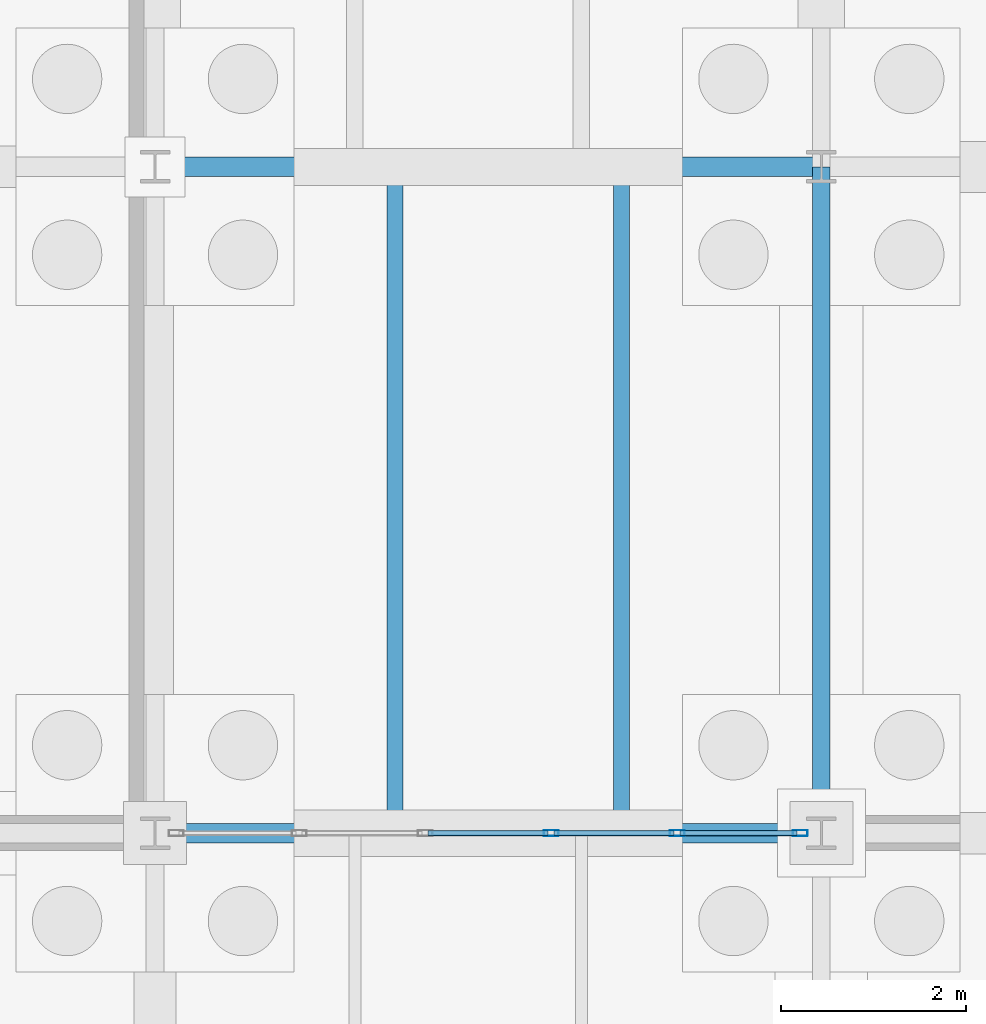
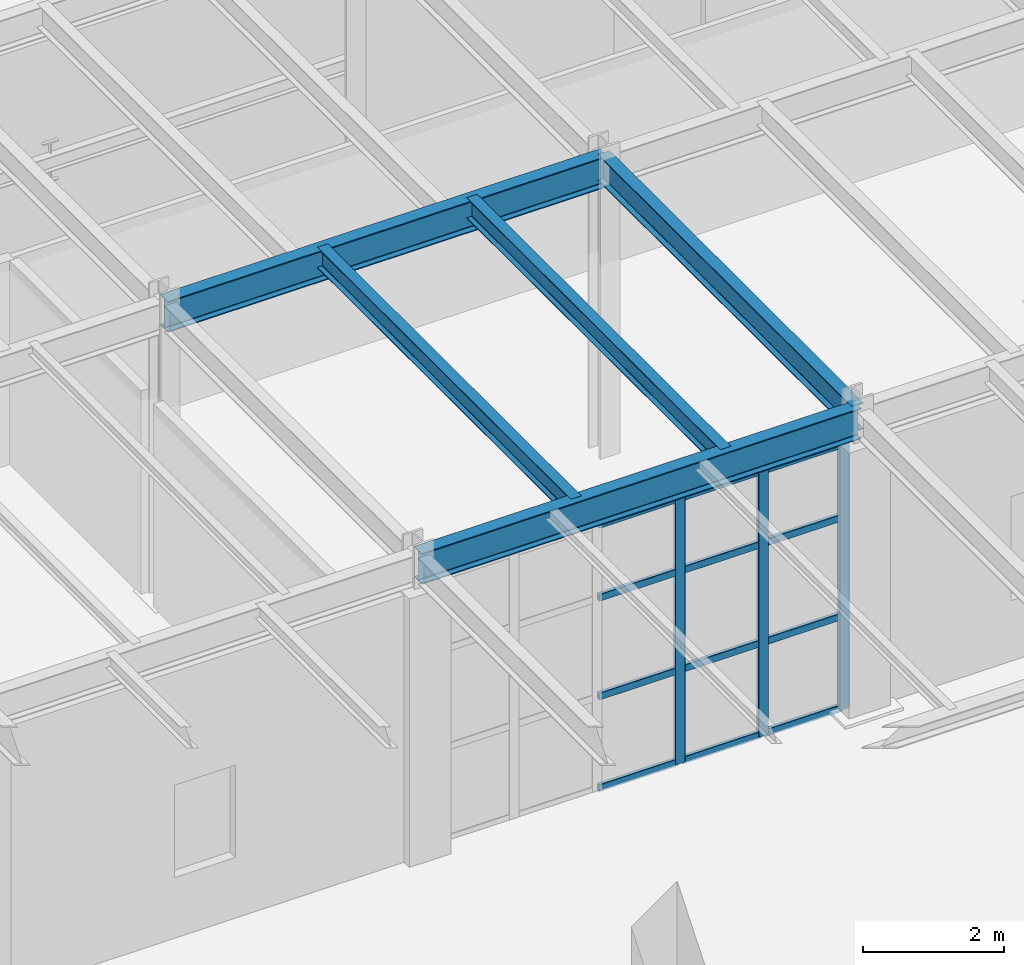
# One storey, part 76 of 293: 15 members, 5 beams, 1 element without a shape of its own.
"""IFC4 building model written with IfcOpenShell, lengths in metres."""

import ifcopenshell
import ifcopenshell.guid

model = None  # the IFC model being written
_history = None  # IfcOwnerHistory: only IFC2X3 demands one
_inside = {}  # id of a spatial element -> (the spatial element, [elements in it])
_under = {}  # id of a project, library or spatial element -> (it, [spatial elements below it])
_declared = {}  # id of a project -> (the project, [libraries it declares])
_typed = {}  # id of a type object -> (the type object, [elements of that type])
_made_of = {}  # id of a material, layer set ... -> (it, [elements and type objects made of it])


def new_model(schema):
    """Start an empty IFC model of exactly this schema.

    Asked for "IFC4X3", IfcOpenShell would pick the latest addendum, in which some entities
    have other attributes; the version numbers below select the first issue.
    IFC2X3 requires an IfcOwnerHistory on every rooted entity: one is made here for all.
    """
    global model, _history
    if schema == "IFC4X3":
        model = ifcopenshell.file(schema_version=(4, 3, 0, 0))
    else:
        model = ifcopenshell.file(schema=schema)
    _inside.clear()
    _under.clear()
    _declared.clear()
    _typed.clear()
    _made_of.clear()
    _history = None
    if model.schema == "IFC2X3":
        org = make("IfcOrganization", Name="unknown")
        user = make(
            "IfcPersonAndOrganization",
            ThePerson=make("IfcPerson", FamilyName="unknown"),
            TheOrganization=org,
        )
        app = make(
            "IfcApplication",
            ApplicationDeveloper=org,
            Version="unknown",
            ApplicationFullName="unknown",
            ApplicationIdentifier="unknown",
        )
        _history = make(
            "IfcOwnerHistory",
            OwningUser=user,
            OwningApplication=app,
            ChangeAction="ADDED",
            CreationDate=0,
        )
    return model


def make(cls, **values):
    """One entity of the class cls with the attributes given. An attribute that is None is left unset."""
    return model.create_entity(
        cls, **{name: value for name, value in values.items() if value is not None}
    )


def rooted(cls, **values):
    """An entity with a GlobalId (a new one), such as an element, a storey or a relation."""
    return make(cls, GlobalId=ifcopenshell.guid.new(), OwnerHistory=_history, **values)


def si_unit(unit_type, name, prefix=None):
    """IfcSIUnit, for example si_unit("LENGTHUNIT", "METRE", prefix="MILLI")."""
    return make("IfcSIUnit", UnitType=unit_type, Prefix=prefix, Name=name)


def assignment(units):
    """IfcUnitAssignment: the units of a project."""
    return None if units is None else make("IfcUnitAssignment", Units=units)


def point(xyz):
    """IfcCartesianPoint."""
    return None if xyz is None else make("IfcCartesianPoint", Coordinates=xyz)


def direction(xyz):
    """IfcDirection."""
    return None if xyz is None else make("IfcDirection", DirectionRatios=xyz)


def frame(location, z_axis=None, x_axis=None):
    """IfcAxis2Placement3D, a coordinate frame: its origin and axes. An axis left out is left unset."""
    return make(
        "IfcAxis2Placement3D",
        Location=point(location),
        Axis=direction(z_axis),
        RefDirection=direction(x_axis),
    )


def frame_2d(location, x_axis=None):
    """IfcAxis2Placement2D, a coordinate frame in the plane: its origin and x axis."""
    return make(
        "IfcAxis2Placement2D", Location=point(location), RefDirection=direction(x_axis)
    )


def origin():
    """The frame at (0, 0, 0) with its axes left unset."""
    return frame((0.0, 0.0, 0.0))


def origin_2d():
    """The frame at (0, 0) in the plane with its x axis left unset."""
    return frame_2d((0.0, 0.0))


def place(relative_to, where):
    """IfcLocalPlacement: puts the frame where relative to a parent placement (None: the world)."""
    return make(
        "IfcLocalPlacement", PlacementRelTo=relative_to, RelativePlacement=where
    )


def context(
    kind, dimensions, precision=None, world=None, true_north=None, identifier=None
):
    """IfcGeometricRepresentationContext, for example the 3D "Model" context."""
    return make(
        "IfcGeometricRepresentationContext",
        ContextIdentifier=identifier,
        ContextType=kind,
        CoordinateSpaceDimension=dimensions,
        Precision=precision,
        WorldCoordinateSystem=world,
        TrueNorth=true_north,
    )


def subcontext(parent, identifier, kind, view, scale=None):
    """IfcGeometricRepresentationSubContext, for example "Body" below "Model"."""
    return make(
        "IfcGeometricRepresentationSubContext",
        ContextIdentifier=identifier,
        ContextType=kind,
        ParentContext=parent,
        TargetScale=scale,
        TargetView=view,
    )


def project(units=None, contexts=None):
    """IfcProject with its units and contexts."""
    return rooted(
        "IfcProject",
        Name="project",
        RepresentationContexts=contexts,
        UnitsInContext=assignment(units),
    )


def spatial(cls, under=None, at=None, **own):
    """A site, building, storey or space (cls), placed at a placement, below another one or the project."""
    s = rooted(cls, ObjectPlacement=at, **own)
    if under is not None:
        _under.setdefault(under.id(), (under, []))[1].append(s)
    return s


def profile(cls, at=None, kind="AREA", **sizes):
    """A parametric profile (cls). Its sizes go by their IFC names, for example OverallWidth=200.0."""
    return make(cls, ProfileType=kind, Position=at, **sizes)


def hollow_rectangle(**sizes):
    """IfcRectangleHollowProfileDef."""
    return profile("IfcRectangleHollowProfileDef", **sizes)


def i_section(**sizes):
    """IfcIShapeProfileDef."""
    return profile("IfcIShapeProfileDef", **sizes)


def extrude(swept, where, along, depth):
    """IfcExtrudedAreaSolid: the profile swept, set in the frame where, extruded along a direction by depth."""
    return make(
        "IfcExtrudedAreaSolid",
        SweptArea=swept,
        Position=where,
        ExtrudedDirection=direction(along),
        Depth=depth,
    )


def shape(context_of_items, identifier, shape_type, items):
    """IfcShapeRepresentation: the items that make up one representation, for example the "Body"."""
    return make(
        "IfcShapeRepresentation",
        ContextOfItems=context_of_items,
        RepresentationIdentifier=identifier,
        RepresentationType=shape_type,
        Items=items,
    )


def material(Name=None, Category=None):
    """IfcMaterial."""
    return make("IfcMaterial", Name=Name, Category=Category)


def layer(
    of_material, thickness, ventilated=None, Name=None, Category=None, Priority=None
):
    """IfcMaterialLayer: one layer of a wall or slab, of a material (None: an air gap)."""
    return make(
        "IfcMaterialLayer",
        Material=of_material,
        LayerThickness=thickness,
        IsVentilated=ventilated,
        Name=Name,
        Category=Category,
        Priority=Priority,
    )


def layer_set(layers, Name=None):
    """IfcMaterialLayerSet."""
    return make("IfcMaterialLayerSet", MaterialLayers=layers, LayerSetName=Name)


def material_profile(
    of_material, cross_section, Name=None, Category=None, Priority=None
):
    """IfcMaterialProfile: a cross section and its material."""
    return make(
        "IfcMaterialProfile",
        Name=Name,
        Material=of_material,
        Profile=cross_section,
        Priority=Priority,
        Category=Category,
    )


def profile_set(profiles, Name=None, composite=None):
    """IfcMaterialProfileSet."""
    return make(
        "IfcMaterialProfileSet",
        Name=Name,
        MaterialProfiles=profiles,
        CompositeProfile=composite,
    )


def made_of(thing, what):
    """Note that an element or type object is made of a material, layer set ...; save() writes the relation."""
    if what is not None:
        _made_of.setdefault(what.id(), (what, []))[1].append(thing)
    return thing


def type_object(cls, material=None, **own):
    """A type object (cls), such as IfcWallType, which elements share."""
    return made_of(rooted(cls, **own), material)


def element(
    cls,
    number,
    at=None,
    inside=None,
    cuts=None,
    type_object=None,
    material=None,
    context=None,
    identifier="Body",
    shape_type=None,
    held_by="IfcProductDefinitionShape",
    body=None,
    shapes=None,
    **own,
):
    """One element of the class cls, such as IfcWall. Its Tag is "e" and its number.

    at: its placement. inside: the storey or other place that contains it. cuts: it is an
    opening in that element (IfcRelVoidsElement). A single representation is given by context,
    identifier, shape_type and body (its items); several are given by shapes. held_by: the class
    of the entity that holds the representations. save() writes the other relations.
    """
    e = rooted(cls, Tag="e%d" % number, ObjectPlacement=at, **own)
    if body is not None:
        shapes = [shape(context, identifier, shape_type, body)]
    if shapes is not None:
        e.Representation = make(held_by, Representations=shapes)
    if inside is not None:
        _inside.setdefault(inside.id(), (inside, []))[1].append(e)
    if cuts is not None:
        rooted(
            "IfcRelVoidsElement", RelatingBuildingElement=cuts, RelatedOpeningElement=e
        )
    if type_object is not None:
        _typed.setdefault(type_object.id(), (type_object, []))[1].append(e)
    return made_of(e, material)


def aggregate(whole, parts):
    """IfcRelAggregates: a whole, such as a stair, and the parts it consists of."""
    return rooted("IfcRelAggregates", RelatingObject=whole, RelatedObjects=parts)


def save(model, path):
    """Write the relations noted so far, then the file.

    IfcRelAggregates (storeys below a building ...), IfcRelContainedInSpatialStructure (elements
    in a storey), IfcRelDefinesByType, IfcRelAssociatesMaterial and IfcRelDeclares: one each for
    every whole, place, type object, material and project.
    """
    for whole, parts in _under.values():
        aggregate(whole, parts)
    for where, things in _inside.values():
        rooted(
            "IfcRelContainedInSpatialStructure",
            RelatedElements=things,
            RelatingStructure=where,
        )
    for kind, things in _typed.values():
        rooted("IfcRelDefinesByType", RelatedObjects=things, RelatingType=kind)
    for what, things in _made_of.values():
        rooted("IfcRelAssociatesMaterial", RelatedObjects=things, RelatingMaterial=what)
    for by, libraries in _declared.values():
        rooted("IfcRelDeclares", RelatingContext=by, RelatedDefinitions=libraries)
    model.write(path)


model = new_model("IFC4")

# Units and contexts
model_context = context("Model", 3, precision=1e-05, world=origin(), true_north=direction((0.0, 1.0)))
body_context = subcontext(model_context, "Body", "Model", "MODEL_VIEW")
ifc_project = project(units=[si_unit("LENGTHUNIT", "METRE"), si_unit("AREAUNIT", "SQUARE_METRE"), si_unit("VOLUMEUNIT", "CUBIC_METRE"), si_unit("PLANEANGLEUNIT", "RADIAN"), si_unit("MASSUNIT", "GRAM", prefix="KILO")], contexts=[model_context])

# Site, building, storey
site_placement = place(None, origin())
site = spatial("IfcSite", under=ifc_project, at=site_placement, CompositionType="ELEMENT")
building_placement = place(site_placement, origin())
building = spatial("IfcBuilding", under=site, at=building_placement, Name="Kemerveld Promenade Tramway Depot", CompositionType="ELEMENT")
storey_placement = place(building_placement, origin())
storey = spatial("IfcBuildingStorey", under=building, at=storey_placement, Name="L00", CompositionType="ELEMENT", Elevation=0.0)

# Beams
ifc_material_1 = material(Name="Steel S355", Category="steel")
ifc_material_profile_1 = material_profile(ifc_material_1, i_section(OverallWidth=0.2099609375, OverallDepth=0.53662109375, WebThickness=0.0107421875, FlangeThickness=0.017333984375, FilletRadius=0.0126953125, at=origin_2d()), Name="533x210x101 UB")
ifc_profile_set_1 = profile_set([ifc_material_profile_1], Name="Steel S355")
beam_type_1 = type_object("IfcBeamType", Name="BM-G05", PredefinedType="BEAM", material=ifc_profile_set_1)
for number, where, z_axis, x_axis, name in (
    (1, (86.39990234375, 7.199951171875, 4.906494140625), (1.0, 0.0, 0.0), (0.0, 1.0, 0.0), "BMX-L00-13-14-B"),
    (2, (86.39990234375, 14.39990234375, 4.906494140625), (1.0, 0.0, 0.0), (0.0, 1.0, 0.0), "BMX-L00-13-14-C"),
):
    element("IfcBeam", number, at=place(storey_placement, frame(where, z_axis=z_axis, x_axis=x_axis)), inside=storey, type_object=beam_type_1, Name=name, PredefinedType="BEAM", context=body_context, shape_type="SweptSolid", body=[
        extrude(i_section(OverallWidth=0.2099609375, OverallDepth=0.53662109375, WebThickness=0.0107421875, FlangeThickness=0.017333984375, FilletRadius=0.0126953125, at=origin_2d()), origin(), (0.0, 0.0, 1.0), 7.2001953125),
    ])
ifc_material_profile_2 = material_profile(ifc_material_1, i_section(OverallWidth=0.19140625, OverallDepth=0.4599609375, WebThickness=0.010009765625, FlangeThickness=0.01611328125, FilletRadius=0.01025390625, at=origin_2d()), Name="457x191x82 UB")
ifc_profile_set_2 = profile_set([ifc_material_profile_2], Name="Steel S355")
beam_type_2 = type_object("IfcBeamType", Name="BM-G06", PredefinedType="BEAM", material=ifc_profile_set_2)
beam_placement = place(storey_placement, frame((93.60009765625, 7.199951171875, 4.945068359375), z_axis=(0.0, 1.0, 0.0), x_axis=(-1.0, 0.0, 0.0)))
element("IfcBeam", 3, at=beam_placement, inside=storey, type_object=beam_type_2, Name="BMY-L00-14-B-C", PredefinedType="BEAM", context=body_context, shape_type="SweptSolid", body=[
    extrude(i_section(OverallWidth=0.19140625, OverallDepth=0.4599609375, WebThickness=0.010009765625, FlangeThickness=0.01611328125, FilletRadius=0.01025390625, at=origin_2d()), origin(), (0.0, 0.0, 1.0), 7.199951171875),
])
ifc_material_profile_3 = material_profile(ifc_material_1, i_section(OverallWidth=0.172119140625, OverallDepth=0.35791015625, WebThickness=0.008056640625, FlangeThickness=0.012939453125, FilletRadius=0.01025390625, at=origin_2d()), Name="356x171x57 UB")
ifc_profile_set_3 = profile_set([ifc_material_profile_3], Name="Steel S355")
beam_type_3 = type_object("IfcBeamType", Name="BM-J04", PredefinedType="JOIST", material=ifc_profile_set_3)
for number, where, z_axis, x_axis, name in (
    (4, (88.991943359375, 7.199951171875, 4.99609375), (0.0, 1.0, 0.0), (-1.0, 0.0, 0.0), "JST-L00-13-B-1"),
    (5, (91.43994140625, 7.199951171875, 4.99609375), (0.0, 1.0, 0.0), (-1.0, 0.0, 0.0), "JST-L00-13-B-2"),
):
    element("IfcBeam", number, at=place(storey_placement, frame(where, z_axis=z_axis, x_axis=x_axis)), inside=storey, type_object=beam_type_3, Name=name, PredefinedType="JOIST", context=body_context, shape_type="SweptSolid", body=[
        extrude(i_section(OverallWidth=0.172119140625, OverallDepth=0.35791015625, WebThickness=0.008056640625, FlangeThickness=0.012939453125, FilletRadius=0.01025390625, at=origin_2d()), origin(), (0.0, 0.0, 1.0), 7.199951171875),
    ])

# Curtain wall, members
ifc_material_2 = material(Name="Bronze anodised aluminium and solar glass", Category="aluminium")
ifc_layer = layer(ifc_material_2, 0.159912109375)
ifc_layer_set = layer_set([ifc_layer], Name="CW-SYS-13")
curtain_wall_type = type_object("IfcCurtainWallType", Name="CW-SYS-13", PredefinedType="USERDEFINED", material=ifc_layer_set)
curtain_wall_placement = place(storey_placement, origin())
curtain_wall = element("IfcCurtainWall", 6, at=curtain_wall_placement, inside=storey, type_object=curtain_wall_type, Name="CW-L00-V4S-10", ObjectType="GLAZED_CURTAIN_WALL", PredefinedType="USERDEFINED")
ifc_material_3 = material(Name="Bronze anodised aluminium", Category="aluminium")
ifc_material_profile_4 = material_profile(ifc_material_3, hollow_rectangle(XDim=0.06494140625, YDim=0.159912109375, WallThickness=0.00390625, InnerFilletRadius=0.001953125, OuterFilletRadius=0.00390625, at=origin_2d()), Name="CW-MUL-160x65")
ifc_profile_set_4 = profile_set([ifc_material_profile_4], Name="Bronze anodised aluminium")
member_type_1 = type_object("IfcMemberType", Name="CW-MUL-A", PredefinedType="MULLION", material=ifc_profile_set_4)
member_1_placement = place(storey_placement, frame((93.37109375, 7.199951171875, 0.0), z_axis=(0.0, 0.0, 1.0), x_axis=(0.0, -1.0, 0.0)))
member_1 = element("IfcMember", 7, at=member_1_placement, type_object=member_type_1, Name="CW13 mullion 1", PredefinedType="MULLION", context=body_context, shape_type="SweptSolid", body=[
    extrude(hollow_rectangle(XDim=0.06494140625, YDim=0.159912109375, WallThickness=0.00390625, InnerFilletRadius=0.001953125, OuterFilletRadius=0.00390625, at=origin_2d()), origin(), (0.0, 0.0, 1.0), 4.618408203125),
])
member_2_placement = place(storey_placement, frame((92.042236328125, 7.199951171875, 0.0), z_axis=(0.0, 0.0, 1.0), x_axis=(0.0, -1.0, 0.0)))
member_2 = element("IfcMember", 8, at=member_2_placement, type_object=member_type_1, Name="CW13 mullion 2", PredefinedType="MULLION", context=body_context, shape_type="SweptSolid", body=[
    extrude(hollow_rectangle(XDim=0.06494140625, YDim=0.159912109375, WallThickness=0.00390625, InnerFilletRadius=0.001953125, OuterFilletRadius=0.00390625, at=origin_2d()), origin(), (0.0, 0.0, 1.0), 4.618408203125),
])
member_3_placement = place(storey_placement, frame((90.6806640625, 7.199951171875, 0.0), z_axis=(0.0, 0.0, 1.0), x_axis=(0.0, -1.0, 0.0)))
member_3 = element("IfcMember", 9, at=member_3_placement, type_object=member_type_1, Name="CW13 mullion 3", PredefinedType="MULLION", context=body_context, shape_type="SweptSolid", body=[
    extrude(hollow_rectangle(XDim=0.06494140625, YDim=0.159912109375, WallThickness=0.00390625, InnerFilletRadius=0.001953125, OuterFilletRadius=0.00390625, at=origin_2d()), origin(), (0.0, 0.0, 1.0), 4.618408203125),
])
ifc_material_profile_5 = material_profile(ifc_material_3, hollow_rectangle(XDim=0.06005859375, YDim=0.1201171875, WallThickness=0.00390625, InnerFilletRadius=0.001953125, OuterFilletRadius=0.00390625, at=origin_2d()), Name="CW-TRN-120x60")
ifc_profile_set_5 = profile_set([ifc_material_profile_5], Name="Bronze anodised aluminium")
member_type_2 = type_object("IfcMemberType", Name="CW-TRN-A", PredefinedType="USERDEFINED", material=ifc_profile_set_5)
member_4_placement = place(storey_placement, frame((93.338623046875, 7.199951171875, 0.030029296875), z_axis=(-1.0, 0.0, 0.0), x_axis=(0.0, -1.0, 0.0)))
member_4 = element("IfcMember", 10, at=member_4_placement, type_object=member_type_2, Name="CW13 transom 1.1", ObjectType="TRANSOM", PredefinedType="USERDEFINED", context=body_context, shape_type="SweptSolid", body=[
    extrude(hollow_rectangle(XDim=0.06005859375, YDim=0.1201171875, WallThickness=0.00390625, InnerFilletRadius=0.001953125, OuterFilletRadius=0.00390625, at=origin_2d()), origin(), (0.0, 0.0, 1.0), 1.263916015625),
])
member_5_placement = place(storey_placement, frame((93.338623046875, 7.199951171875, 1.615966796875), z_axis=(-1.0, 0.0, 0.0), x_axis=(0.0, -1.0, 0.0)))
member_5 = element("IfcMember", 11, at=member_5_placement, type_object=member_type_2, Name="CW13 transom 1.2", ObjectType="TRANSOM", PredefinedType="USERDEFINED", context=body_context, shape_type="SweptSolid", body=[
    extrude(hollow_rectangle(XDim=0.06005859375, YDim=0.1201171875, WallThickness=0.00390625, InnerFilletRadius=0.001953125, OuterFilletRadius=0.00390625, at=origin_2d()), origin(), (0.0, 0.0, 1.0), 1.263916015625),
])
member_6_placement = place(storey_placement, frame((93.338623046875, 7.199951171875, 3.324951171875), z_axis=(-1.0, 0.0, 0.0), x_axis=(0.0, -1.0, 0.0)))
member_6 = element("IfcMember", 12, at=member_6_placement, type_object=member_type_2, Name="CW13 transom 1.3", ObjectType="TRANSOM", PredefinedType="USERDEFINED", context=body_context, shape_type="SweptSolid", body=[
    extrude(hollow_rectangle(XDim=0.06005859375, YDim=0.1201171875, WallThickness=0.00390625, InnerFilletRadius=0.001953125, OuterFilletRadius=0.00390625, at=origin_2d()), origin(), (0.0, 0.0, 1.0), 1.263916015625),
])
member_7_placement = place(storey_placement, frame((93.338623046875, 7.199951171875, 4.58837890625), z_axis=(-1.0, 0.0, 0.0), x_axis=(0.0, -1.0, 0.0)))
member_7 = element("IfcMember", 13, at=member_7_placement, type_object=member_type_2, Name="CW13 transom 1.4", ObjectType="TRANSOM", PredefinedType="USERDEFINED", context=body_context, shape_type="SweptSolid", body=[
    extrude(hollow_rectangle(XDim=0.06005859375, YDim=0.1201171875, WallThickness=0.00390625, InnerFilletRadius=0.001953125, OuterFilletRadius=0.00390625, at=origin_2d()), origin(), (0.0, 0.0, 1.0), 1.263916015625),
])
member_8_placement = place(storey_placement, frame((92.009765625, 7.199951171875, 0.030029296875), z_axis=(-1.0, 0.0, 0.0), x_axis=(0.0, -1.0, 0.0)))
member_8 = element("IfcMember", 14, at=member_8_placement, type_object=member_type_2, Name="CW13 transom 2.1", ObjectType="TRANSOM", PredefinedType="USERDEFINED", context=body_context, shape_type="SweptSolid", body=[
    extrude(hollow_rectangle(XDim=0.06005859375, YDim=0.1201171875, WallThickness=0.00390625, InnerFilletRadius=0.001953125, OuterFilletRadius=0.00390625, at=origin_2d()), origin(), (0.0, 0.0, 1.0), 1.296630859375),
])
member_9_placement = place(storey_placement, frame((92.009765625, 7.199951171875, 1.615966796875), z_axis=(-1.0, 0.0, 0.0), x_axis=(0.0, -1.0, 0.0)))
member_9 = element("IfcMember", 15, at=member_9_placement, type_object=member_type_2, Name="CW13 transom 2.2", ObjectType="TRANSOM", PredefinedType="USERDEFINED", context=body_context, shape_type="SweptSolid", body=[
    extrude(hollow_rectangle(XDim=0.06005859375, YDim=0.1201171875, WallThickness=0.00390625, InnerFilletRadius=0.001953125, OuterFilletRadius=0.00390625, at=origin_2d()), origin(), (0.0, 0.0, 1.0), 1.296630859375),
])
member_10_placement = place(storey_placement, frame((92.009765625, 7.199951171875, 3.324951171875), z_axis=(-1.0, 0.0, 0.0), x_axis=(0.0, -1.0, 0.0)))
member_10 = element("IfcMember", 16, at=member_10_placement, type_object=member_type_2, Name="CW13 transom 2.3", ObjectType="TRANSOM", PredefinedType="USERDEFINED", context=body_context, shape_type="SweptSolid", body=[
    extrude(hollow_rectangle(XDim=0.06005859375, YDim=0.1201171875, WallThickness=0.00390625, InnerFilletRadius=0.001953125, OuterFilletRadius=0.00390625, at=origin_2d()), origin(), (0.0, 0.0, 1.0), 1.296630859375),
])
member_11_placement = place(storey_placement, frame((92.009765625, 7.199951171875, 4.58837890625), z_axis=(-1.0, 0.0, 0.0), x_axis=(0.0, -1.0, 0.0)))
member_11 = element("IfcMember", 17, at=member_11_placement, type_object=member_type_2, Name="CW13 transom 2.4", ObjectType="TRANSOM", PredefinedType="USERDEFINED", context=body_context, shape_type="SweptSolid", body=[
    extrude(hollow_rectangle(XDim=0.06005859375, YDim=0.1201171875, WallThickness=0.00390625, InnerFilletRadius=0.001953125, OuterFilletRadius=0.00390625, at=origin_2d()), origin(), (0.0, 0.0, 1.0), 1.296630859375),
])
member_12_placement = place(storey_placement, frame((90.648193359375, 7.199951171875, 0.030029296875), z_axis=(-1.0, 0.0, 0.0), x_axis=(0.0, -1.0, 0.0)))
member_12 = element("IfcMember", 18, at=member_12_placement, type_object=member_type_2, Name="CW13 transom 3.1", ObjectType="TRANSOM", PredefinedType="USERDEFINED", context=body_context, shape_type="SweptSolid", body=[
    extrude(hollow_rectangle(XDim=0.06005859375, YDim=0.1201171875, WallThickness=0.00390625, InnerFilletRadius=0.001953125, OuterFilletRadius=0.00390625, at=origin_2d()), origin(), (0.0, 0.0, 1.0), 1.29638671875),
])
member_13_placement = place(storey_placement, frame((90.648193359375, 7.199951171875, 1.615966796875), z_axis=(-1.0, 0.0, 0.0), x_axis=(0.0, -1.0, 0.0)))
member_13 = element("IfcMember", 19, at=member_13_placement, type_object=member_type_2, Name="CW13 transom 3.2", ObjectType="TRANSOM", PredefinedType="USERDEFINED", context=body_context, shape_type="SweptSolid", body=[
    extrude(hollow_rectangle(XDim=0.06005859375, YDim=0.1201171875, WallThickness=0.00390625, InnerFilletRadius=0.001953125, OuterFilletRadius=0.00390625, at=origin_2d()), origin(), (0.0, 0.0, 1.0), 1.29638671875),
])
member_14_placement = place(storey_placement, frame((90.648193359375, 7.199951171875, 3.324951171875), z_axis=(-1.0, 0.0, 0.0), x_axis=(0.0, -1.0, 0.0)))
member_14 = element("IfcMember", 20, at=member_14_placement, type_object=member_type_2, Name="CW13 transom 3.3", ObjectType="TRANSOM", PredefinedType="USERDEFINED", context=body_context, shape_type="SweptSolid", body=[
    extrude(hollow_rectangle(XDim=0.06005859375, YDim=0.1201171875, WallThickness=0.00390625, InnerFilletRadius=0.001953125, OuterFilletRadius=0.00390625, at=origin_2d()), origin(), (0.0, 0.0, 1.0), 1.29638671875),
])
member_15_placement = place(storey_placement, frame((90.648193359375, 7.199951171875, 4.58837890625), z_axis=(-1.0, 0.0, 0.0), x_axis=(0.0, -1.0, 0.0)))
member_15 = element("IfcMember", 21, at=member_15_placement, type_object=member_type_2, Name="CW13 transom 3.4", ObjectType="TRANSOM", PredefinedType="USERDEFINED", context=body_context, shape_type="SweptSolid", body=[
    extrude(hollow_rectangle(XDim=0.06005859375, YDim=0.1201171875, WallThickness=0.00390625, InnerFilletRadius=0.001953125, OuterFilletRadius=0.00390625, at=origin_2d()), origin(), (0.0, 0.0, 1.0), 1.29638671875),
])
aggregate(curtain_wall, [member_1, member_2, member_3, member_4, member_5, member_6, member_7, member_8, member_9, member_10, member_11, member_12, member_13, member_14, member_15])

save(model, "model.ifc")
